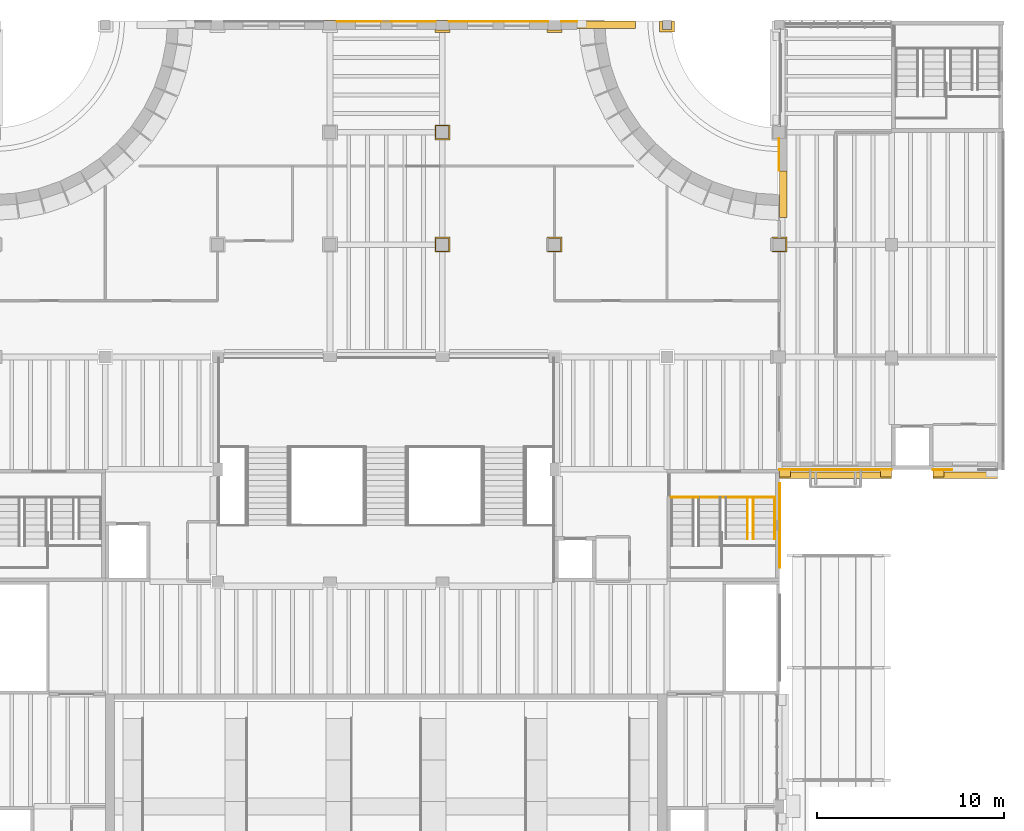
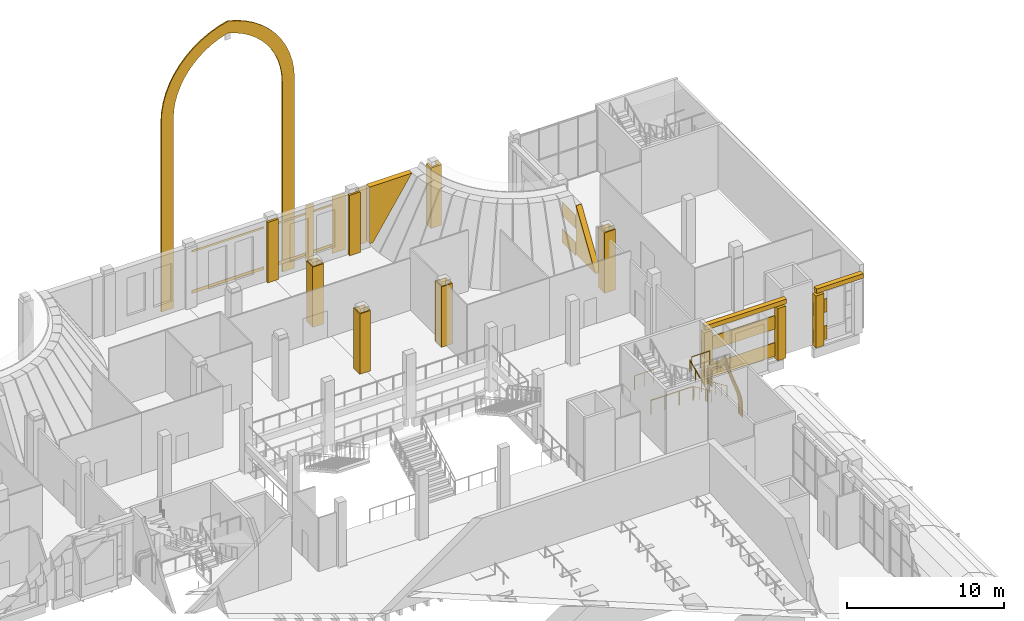
# One storey, part 78 of 80: 31 coverings, 6 railings.
"""IFC4 building model written with IfcOpenShell, lengths in metres."""

from ifc_helpers import new_model, si_unit, direction, frame, origin, origin_2d, place, context, subcontext, project, spatial, polyline, rectangle, circle, outline, extrude, material, layer, layer_set, type_object, element, save


model = new_model("IFC4")

# Units and contexts
model_context = context("Model", 3, precision=1e-05, world=origin(), true_north=direction((0.0, 1.0)))
body_context = subcontext(model_context, "Body", "Model", "MODEL_VIEW")
ifc_project = project(units=[si_unit("LENGTHUNIT", "METRE"), si_unit("AREAUNIT", "SQUARE_METRE"), si_unit("VOLUMEUNIT", "CUBIC_METRE"), si_unit("PLANEANGLEUNIT", "RADIAN"), si_unit("MASSUNIT", "GRAM", prefix="KILO")], contexts=[model_context])

# Site, building, storey
site_placement = place(None, origin())
site = spatial("IfcSite", under=ifc_project, at=site_placement, CompositionType="ELEMENT")
building_placement = place(site_placement, origin())
building = spatial("IfcBuilding", under=site, at=building_placement, Name="Saffron Lane Theatres", CompositionType="ELEMENT")
storey_placement = place(building_placement, frame((0.0, 0.0, 7.0)))
storey = spatial("IfcBuildingStorey", under=building, at=storey_placement, Name="L01", CompositionType="ELEMENT", Elevation=7.0)

# Coverings
ifc_material_1 = material(Name="Masonry sandstone", Category="masonry")
ifc_layer_1 = layer(ifc_material_1, 0.050048828125)
ifc_layer_set_1 = layer_set([ifc_layer_1], Name="Masonry sandstone")
covering_type_1 = type_object("IfcCoveringType", Name="EX-ARCH FRAME RING SANDSTONE 50", PredefinedType="CLADDING", material=ifc_layer_set_1)
covering_1_placement = place(storey_placement, frame((54.0, 97.2099609375, 1.2958984375), z_axis=(-1.0, 0.0, 0.0), x_axis=(0.0, 0.06442827163, 0.997922340573)))
element("IfcCovering", 1, at=covering_1_placement, inside=storey, type_object=covering_type_1, Name="Arch recess ring L01", PredefinedType="CLADDING", context=body_context, shape_type="SweptSolid", body=[
    extrude(outline(polyline([(0.0, 0.0), (0.17052029873114202, 1.734723475976807e-18), (0.3242466721669218, 0.024081254977071236), (0.46344242900309285, 0.06940650212296195), (0.5880131918886352, 0.13451394113409834), (0.7023363221821465, 0.21520657625605405), (0.8097754985831224, 0.31053329351799586), (0.9118316705185227, 0.41721675201932407), (1.013479573024326, 0.5327339305761084), (1.1188295145103184, 0.6563301599259349), (1.228274384393338, 0.786512180648223), (1.3482821771299438, 0.9211498609758806), (1.4813912939168246, 1.0578774753100109), (1.6295508018254126, 1.196569187182587), (1.7967137136804603, 1.3340339934919052), (1.986958878774747, 1.469029958207694), (2.2768445051640707, 1.6467673279258968), (2.012220549731055, 1.8603051727976225), (1.8409137730747478, 2.018643802332316), (1.692815086125706, 2.1764626573449113), (1.563719803123124, 2.333054606794249), (1.4492974018381697, 2.4857634525677375), (1.3475988151994112, 2.6347150311334024), (1.2558025099571002, 2.7778896671794207), (1.167220277835631, 2.914006625097878), (1.0812704747161264, 3.041635563702207), (0.9937798739547866, 3.160556618719107), (0.8994906084625739, 3.2689074104217855), (0.7964927602914423, 3.3636308117286897), (0.6813282733908765, 3.4442161363070785), (0.5491164405301731, 3.5070641116256507), (0.39976288435831203, 3.550712937380834), (0.2306582458924675, 3.5726399419344412), (-0.6634762731268586, 3.630367421641571), (-0.6712152159104848, 3.510499796748517), (0.21902116896597779, 3.4530239899774404), (0.37503252293367106, 3.4329209151187268), (0.50685251501477, 3.394318481277149), (0.6205328306841129, 3.340006413039703), (0.7222114932154338, 3.270322371595594), (0.8140812030640937, 3.185124790918292), (0.8998751087815435, 3.0853958945498916), (0.9836171809786733, 2.9728330766257725), (1.06683213819307, 2.84831649333063), (1.1541962033948943, 2.712278183204689), (1.248122290858553, 2.5679874475964257), (1.3515811898667036, 2.415986431955586), (1.4686755188227527, 2.2591906973371945), (1.6025567821592739, 2.097152126096779), (1.7564159829779704, 1.933823731059093), (1.9331924514444936, 1.7692603909060247), (2.069268862056587, 1.6601689117707128), (1.9202942134717833, 1.569481016084268), (1.723824337759122, 1.4290153595582635), (1.5502402705772806, 1.2868274911490194), (1.396634140877615, 1.143349798942504), (1.2603497505475334, 1.0029128051675502), (1.1382041360374564, 0.8654773607007713), (1.0265036474650626, 0.734462372469297), (0.9223718728987153, 0.6107874953269541), (0.8238363257020991, 0.4980051626752776), (0.7263151602560739, 0.39714513627761755), (0.6284094944910791, 0.3092763270207095), (0.5263470307322774, 0.23659947491203817), (0.41655191601325103, 0.1805686902487979), (0.29683144987863896, 0.14132553905751855), (0.16114198640572697, 0.11999416045256957), (0.0038408086407626125, 0.12011929782910696), (-0.8863955762357, 0.17759510460018418), (-0.8941345190193262, 0.057727479707130096), (0.0, 0.0)])), origin(), (0.0, 0.0, -1.0), 0.050048828125),
])
covering_2_placement = place(storey_placement, frame((54.0, 96.949951171875, 1.297119140625), z_axis=(-1.0, 0.0, 0.0), x_axis=(0.0, 0.067277250526, 0.997734319126)))
element("IfcCovering", 2, at=covering_2_placement, inside=storey, type_object=covering_type_1, Name="Arch recess ring L01", PredefinedType="CLADDING", context=body_context, shape_type="SweptSolid", body=[
    extrude(outline(polyline([(0.0, 0.0), (0.19233029031026627, -1.734723475976807e-18), (0.3686361813310119, 0.027262893416721473), (0.5275519096710343, 0.07967851847782519), (0.6708947742924419, 0.15516677446133414), (0.801502910238719, 0.24864238533224844), (0.9231258912040249, 0.3576502620084015), (1.0375317408204932, 0.47937954132705035), (1.1515545444756434, 0.6099436703748589), (1.2681994774824994, 0.7503634852332024), (1.390304674884545, 0.8955537098670809), (1.5227911616168623, 1.045916604517425), (1.6694413615935944, 1.199484255062579), (1.8330304985878798, 1.3538672728603438), (2.016903096883326, 1.5078613564498122), (2.2254737921748915, 1.6579877914978223), (2.5852450627263814, 1.8803809916168035), (2.258586813918305, 2.1490601516926007), (2.0720586162356986, 2.3258281151472655), (1.9105241675290636, 2.5031130047050683), (1.7691417792436548, 2.6780602602125323), (1.6444355262159311, 2.849925483288521), (1.5333345326929018, 3.016713487930638), (1.4318264232205393, 3.1769819635369636), (1.3350887235237119, 3.3317901747481), (1.2396262941592646, 3.4764798983888334), (1.142598210914092, 3.6124661731803407), (1.0367104853209044, 3.7368151025888094), (0.9198337413277493, 3.846978625211365), (0.7879227532606154, 3.941027255485577), (0.6374823816763479, 4.014302770236232), (0.4664325258529695, 4.064987870501222), (0.27584329720183115, 4.090808143408288), (-0.619340692736567, 4.151170422628053), (-0.632792857819829, 3.951672276298924), (0.2563014451121856, 3.8917206248289538), (0.4240427259492967, 3.8681750747018797), (0.5646332999700076, 3.8266400003332506), (0.6859993674224233, 3.7685384980453724), (0.7931577147319555, 3.6920641156468856), (0.8911443426036292, 3.5993242257405083), (0.9838402256115377, 3.4898124390861174), (1.0746555884792561, 3.363298804143827), (1.16632195798919, 3.224003644458316), (1.2624602961251856, 3.071193408419198), (1.3657200041196895, 2.9078704821698738), (1.480373470016977, 2.735704338682526), (1.6104494943810679, 2.55638087603933), (1.7586139035544, 2.3731460678639413), (1.9292841224015533, 2.1861914371370204), (2.126083902075996, 1.9984536695620012), (2.2420303030465982, 1.9035239715952113), (2.114389223761854, 1.8250193836201942), (1.8941672372391434, 1.6654014043510899), (1.6999434106637878, 1.5030515883918443), (1.5285210457421055, 1.3413665245256619), (1.3755484180494837, 1.1811290396929053), (1.2388196043232536, 1.0259136097170671), (1.1145686057592639, 0.8779317362000586), (0.9987858360731082, 0.7394113458537825), (0.8892489468921257, 0.6136833270214762), (0.7822712757925029, 0.5005068813925057), (0.6757125999515381, 0.40443083471138436), (0.5661626946456565, 0.32568513851799763), (0.4497077350807808, 0.2642890070919583), (0.3216402227517218, 0.22300681743565523), (0.17674626991316658, 0.20072197197738367), (0.0073624780768782, 0.19990877407892305), (-0.8817318248551363, 0.2598604255488935), (-0.8951839899383982, 0.06036227921976477), (0.0, 0.0)])), origin(), (0.0, 0.0, -1.0), 0.050048828125),
])
covering_3_placement = place(storey_placement, frame((54.0, 96.75, 1.2958984375), z_axis=(-1.0, 0.0, 0.0), x_axis=(0.0, 0.067065646472, 0.997748565052)))
element("IfcCovering", 3, at=covering_3_placement, inside=storey, type_object=covering_type_1, Name="Arch recess ring L01", PredefinedType="CLADDING", context=body_context, shape_type="SweptSolid", body=[
    extrude(outline(polyline([(0.0, 0.0), (0.2074984191926236, -1.734723475976807e-18), (0.3949565987586749, 0.029486570596540487), (0.5642577725688886, 0.08735436036579791), (0.717006825863624, 0.16835697159344967), (0.8571974438937694, 0.27002373702473836), (0.9873453927117799, 0.38973863913971574), (1.112807662625058, 0.5234712242409627), (1.2368962863562354, 0.6695307182950527), (1.364579312989259, 0.8253809602518462), (1.4999159215703994, 0.9895256466896439), (1.6475487029811116, 1.1582270352158286), (1.809442758336358, 1.3315977291979), (1.9914586333089161, 1.5058181189990125), (2.196681143111999, 1.6794573949928495), (2.42863316452881, 1.85032122778061), (2.776077461779361, 2.068477613157778), (2.4609543525500626, 2.3311697793950295), (2.253955467173975, 2.531538567002596), (2.073817081002381, 2.7310806390702025), (1.9167543420705462, 2.928092869664417), (1.7795187006768023, 3.1215701588289084), (1.655791154580694, 3.3085115693691134), (1.54363934956495, 3.48929167983406), (1.4379622381804387, 3.6608276857849567), (1.334536906892433, 3.8221799810608545), (1.2281005845377642, 3.971500089463132), (1.1151447570076538, 4.107555693526036), (0.9898212305293306, 4.22706951819905), (0.8492867700734272, 4.327785761836828), (0.6892529683098338, 4.407790454445362), (0.5074272551466756, 4.462099173491861), (0.3017954091224526, 4.4898685427340315), (-0.5921834077088134, 4.549959099997454), (-0.6015653938973532, 4.410381480911809), (0.2885159676016784, 4.350552898829917), (0.4771455668939128, 4.324660443881734), (0.6383663000720692, 4.276875251559516), (0.7770827331991319, 4.207357034802879), (0.9003937617368865, 4.119788383334645), (1.0125694087921775, 4.012169438367741), (1.1171836822691663, 3.886706881200974), (1.2179231934395136, 3.74364229201819), (1.3196781456917779, 3.586562030623556), (1.4243808932432305, 3.4150915184680417), (1.538415932129709, 3.233206056579271), (1.6638302307104045, 3.0422362031160675), (1.804928569764272, 2.844339519030701), (1.9667137560473695, 2.6411372630123773), (2.1531978590338507, 2.434072596587418), (2.367842283260377, 2.2273173021695953), (2.5385762774713267, 2.0844417257822565), (2.350257199200182, 1.9657006129933607), (2.109873713388342, 1.789530921019154), (1.8973558267373267, 1.6092859638033192), (1.7098315788689158, 1.4295632334296131), (1.5435181285927948, 1.2523298417874182), (1.3936746443344354, 1.0798619855197642), (1.2563238142917952, 0.9148739228396727), (1.1296151514918304, 0.7589581870874968), (1.0077536040571458, 0.616908751733141), (0.8887740708727788, 0.4886130134091051), (0.7683102989132307, 0.3782795229756905), (0.6427411707022231, 0.2866410640821107), (0.5088201473125074, 0.216362774594851), (0.3620479773534, 0.1660342398852799), (0.1958824626238666, 0.14025496281157382), (0.005484530856305384, 0.13983959426717443), (-0.8845968306427262, 0.19966817634906692), (-0.893978816831266, 0.06009055726342237), (0.0, 0.0)])), origin(), (0.0, 0.0, -1.0), 0.050048828125),
])
ifc_material_2 = material(Name="Masonry pale clay brick", Category="masonry")
ifc_layer_2 = layer(ifc_material_2, 0.39990234375)
ifc_layer_set_2 = layer_set([ifc_layer_2], Name="Masonry pale clay brick")
covering_type_2 = type_object("IfcCoveringType", Name="EX-END INFILL CLADDING BRICK 400", PredefinedType="CLADDING", material=ifc_layer_set_2)
covering_4_placement = place(storey_placement, frame((43.2021484375, 125.93994140625, 0.25), z_axis=(0.0, 1.0, 0.0), x_axis=(0.0, 0.0, 1.0)))
element("IfcCovering", 4, at=covering_4_placement, inside=storey, type_object=covering_type_2, Name="Wall end infill L01 12", PredefinedType="CLADDING", context=body_context, shape_type="SweptSolid", body=[
    extrude(outline(polyline([(0.0, 0.0), (4.39990234375, 0.0), (4.39990234375, 3.115966796875), (0.0, 0.253662109375), (0.0, 0.0)])), origin(), (0.0, 0.0, -1.0), 0.39990234375),
])
covering_5_placement = place(storey_placement, frame((54.0, 117.947265625, 4.050048828125), z_axis=(-1.0, 0.0, 0.0), x_axis=(0.0, 0.0, -1.0)))
element("IfcCovering", 5, at=covering_5_placement, inside=storey, type_object=covering_type_2, Name="Wall end infill L01 14", PredefinedType="CLADDING", context=body_context, shape_type="SweptSolid", body=[
    extrude(outline(polyline([(0.0, 0.0), (3.800048828125, 0.0), (3.800048828125, 2.491943359375), (0.0, 0.02001953125), (0.0, 0.0)])), origin(), (0.0, 0.0, -1.0), 0.39990234375),
])
ifc_material_3 = material(Name="Face brick cladding, pale buff", Category="masonry")
ifc_layer_3 = layer(ifc_material_3, 0.0400390625)
ifc_layer_set_3 = layer_set([ifc_layer_3], Name="Face brick cladding, pale buff")
covering_type_3 = type_object("IfcCoveringType", Name="EX-FACE BRICK CLADDING PALE BUFF 40", PredefinedType="CLADDING", material=ifc_layer_set_3)
covering_6_placement = place(storey_placement, frame((39.0, 125.919921875, 0.150146484375), z_axis=(0.0, 0.0, 1.0), x_axis=(1.0, 0.0, 0.0)))
element("IfcCovering", 6, at=covering_6_placement, inside=storey, type_object=covering_type_3, Name="Cladding course L01", PredefinedType="CLADDING", context=body_context, shape_type="SweptSolid", body=[
    extrude(rectangle(XDim=0.56005859375, YDim=0.0400390625, at=origin_2d()), origin(), (0.0, 0.0, 1.0), 4.39990234375),
])
covering_7_placement = place(storey_placement, frame((41.159912109375, 125.919921875, 0.150146484375), z_axis=(0.0, 0.0, 1.0), x_axis=(1.0, 0.0, 0.0)))
element("IfcCovering", 7, at=covering_7_placement, inside=storey, type_object=covering_type_3, Name="Cladding course L01", PredefinedType="CLADDING", context=body_context, shape_type="SweptSolid", body=[
    extrude(rectangle(XDim=0.97998046875, YDim=0.0400390625, at=origin_2d()), origin(), (0.0, 0.0, 1.0), 4.39990234375),
])
covering_8_placement = place(storey_placement, frame((42.77587890625, 125.919921875, 0.150146484375), z_axis=(0.0, 0.0, 1.0), x_axis=(1.0, 0.0, 0.0)))
element("IfcCovering", 8, at=covering_8_placement, inside=storey, type_object=covering_type_3, Name="Cladding course L01", PredefinedType="CLADDING", context=body_context, shape_type="SweptSolid", body=[
    extrude(rectangle(XDim=0.85205078125, YDim=0.0400390625, at=origin_2d()), origin(), (0.0, 0.0, 1.0), 4.39990234375),
])
for number, where, z_axis, x_axis, name in (
    (9, (53.97998046875, 118.81103515625, 0.14990234375), (0.0, 0.0, 1.0), (0.0, 1.0, 0.0), "Cladding course L01"),
    (10, (53.97998046875, 118.81103515625, 2.25), (0.0, 0.0, 1.0), (0.0, 1.0, 0.0), "Cladding course L01"),
):
    element("IfcCovering", number, at=place(storey_placement, frame(where, z_axis=z_axis, x_axis=x_axis)), inside=storey, type_object=covering_type_3, Name=name, PredefinedType="CLADDING", context=body_context, shape_type="SweptSolid", body=[
        extrude(rectangle(XDim=1.72802734375, YDim=0.0400390625, at=origin_2d()), origin(), (0.0, 0.0, 1.0), 1.050048828125),
    ])
for number, where, z_axis, x_axis, name in (
    (11, (62.7119140625, 101.97998046875, 0.14990234375), (0.0, 0.0, 1.0), (-1.0, 0.0, 0.0), "Cladding course L01"),
    (12, (62.7119140625, 101.97998046875, 2.25), (0.0, 0.0, 1.0), (-1.0, 0.0, 0.0), "Cladding course L01"),
):
    element("IfcCovering", number, at=place(storey_placement, frame(where, z_axis=z_axis, x_axis=x_axis)), inside=storey, type_object=covering_type_3, Name=name, PredefinedType="CLADDING", context=body_context, shape_type="SweptSolid", body=[
        extrude(rectangle(XDim=1.02490234375, YDim=0.0400390625, at=origin_2d()), origin(), (0.0, 0.0, 1.0), 1.050048828125),
    ])
for number, where, z_axis, x_axis, name in (
    (13, (57.0, 101.97998046875, 0.14990234375), (0.0, 0.0, 1.0), (-1.0, 0.0, 0.0), "Cladding course L01"),
    (14, (57.0, 101.97998046875, 2.25), (0.0, 0.0, 1.0), (-1.0, 0.0, 0.0), "Cladding course L01"),
):
    element("IfcCovering", number, at=place(storey_placement, frame(where, z_axis=z_axis, x_axis=x_axis)), inside=storey, type_object=covering_type_3, Name=name, PredefinedType="CLADDING", context=body_context, shape_type="SweptSolid", body=[
        extrude(rectangle(XDim=6.0, YDim=0.0400390625, at=origin_2d()), origin(), (0.0, 0.0, 1.0), 1.050048828125),
    ])
ifc_material_4 = material(Name="Masonry sandstone", Category="masonry")
ifc_layer_4 = layer(ifc_material_4, 0.0400390625)
ifc_layer_set_4 = layer_set([ifc_layer_4], Name="Masonry sandstone")
covering_type_4 = type_object("IfcCoveringType", Name="EX-HEAD COURSE SANDSTONE 150", PredefinedType="CLADDING", material=ifc_layer_set_4)
for number, where, z_axis, x_axis, name in (
    (15, (33.0, 125.919921875, 3.85009765625), (0.0, 0.0, 1.0), (1.0, 0.0, 0.0), "Facade head course L01"),
    (16, (39.0, 125.919921875, 3.85009765625), (0.0, 0.0, 1.0), (1.0, 0.0, 0.0), "Facade head course L01"),
):
    element("IfcCovering", number, at=place(storey_placement, frame(where, z_axis=z_axis, x_axis=x_axis)), inside=storey, type_object=covering_type_4, Name=name, PredefinedType="CLADDING", context=body_context, shape_type="SweptSolid", body=[
        extrude(rectangle(XDim=5.2998046875, YDim=0.0400390625, at=origin_2d()), origin(), (0.0, 0.0, 1.0), 0.14990234375),
    ])
ifc_material_5 = material(Name="Face brick cladding, pale buff", Category="masonry")
ifc_layer_5 = layer(ifc_material_5, 0.10009765625)
ifc_layer_set_5 = layer_set([ifc_layer_5], Name="Face brick cladding, pale buff")
covering_type_5 = type_object("IfcCoveringType", Name="EX-PIER CASING FACE BRICK PALE BUFF 800", PredefinedType="CLADDING", material=ifc_layer_set_5)
covering_9_placement = place(storey_placement, origin())
element("IfcCovering", 17, at=covering_9_placement, inside=storey, type_object=covering_type_5, Name="Pier casing L01 26", PredefinedType="CLADDING", context=body_context, shape_type="SweptSolid", body=[
    extrude(outline(polyline([(36.39990234375, 114.39990234375), (35.60009765625, 114.39990234375), (35.60009765625, 113.60009765625), (36.39990234375, 113.60009765625), (36.39990234375, 114.39990234375)]), holes=[polyline([(35.675048828125, 114.324951171875), (36.324951171875, 114.324951171875), (36.324951171875, 113.675048828125), (35.675048828125, 113.675048828125), (35.675048828125, 114.324951171875)])]), origin(), (0.0, 0.0, 1.0), 4.699951171875),
])
covering_10_placement = place(storey_placement, origin())
element("IfcCovering", 18, at=covering_10_placement, inside=storey, type_object=covering_type_5, Name="Pier casing L01 27", PredefinedType="CLADDING", context=body_context, shape_type="SweptSolid", body=[
    extrude(outline(polyline([(42.39990234375, 114.39990234375), (41.60009765625, 114.39990234375), (41.60009765625, 113.60009765625), (42.39990234375, 113.60009765625), (42.39990234375, 114.39990234375)]), holes=[polyline([(41.675048828125, 114.324951171875), (42.324951171875, 114.324951171875), (42.324951171875, 113.675048828125), (41.675048828125, 113.675048828125), (41.675048828125, 114.324951171875)])]), origin(), (0.0, 0.0, 1.0), 4.699951171875),
])
covering_11_placement = place(storey_placement, origin())
element("IfcCovering", 19, at=covering_11_placement, inside=storey, type_object=covering_type_5, Name="Pier casing L01 28", PredefinedType="CLADDING", context=body_context, shape_type="SweptSolid", body=[
    extrude(outline(polyline([(54.39990234375, 114.39990234375), (53.60009765625, 114.39990234375), (53.60009765625, 113.60009765625), (54.39990234375, 113.60009765625), (54.39990234375, 114.39990234375)]), holes=[polyline([(53.675048828125, 114.324951171875), (54.324951171875, 114.324951171875), (54.324951171875, 113.675048828125), (53.675048828125, 113.675048828125), (53.675048828125, 114.324951171875)])]), origin(), (0.0, 0.0, 1.0), 4.699951171875),
])
covering_12_placement = place(storey_placement, origin())
element("IfcCovering", 20, at=covering_12_placement, inside=storey, type_object=covering_type_5, Name="Pier casing L01 32", PredefinedType="CLADDING", context=body_context, shape_type="SweptSolid", body=[
    extrude(outline(polyline([(36.39990234375, 120.39990234375), (35.60009765625, 120.39990234375), (35.60009765625, 119.60009765625), (36.39990234375, 119.60009765625), (36.39990234375, 120.39990234375)]), holes=[polyline([(35.675048828125, 120.324951171875), (36.324951171875, 120.324951171875), (36.324951171875, 119.675048828125), (35.675048828125, 119.675048828125), (35.675048828125, 120.324951171875)])]), origin(), (0.0, 0.0, 1.0), 4.699951171875),
])
covering_13_placement = place(storey_placement, origin())
element("IfcCovering", 21, at=covering_13_placement, inside=storey, type_object=covering_type_5, Name="Pier casing L01 39", PredefinedType="CLADDING", context=body_context, shape_type="SweptSolid", body=[
    extrude(outline(polyline([(35.60009765625, 125.495849609375), (35.60009765625, 125.324462890625), (36.39990234375, 125.324462890625), (36.39990234375, 125.495849609375), (36.35009765625, 125.495849609375), (36.35009765625, 125.495849609375), (36.35009765625, 125.474609375), (35.64990234375, 125.474609375), (35.64990234375, 125.495849609375), (35.64990234375, 125.495849609375), (35.60009765625, 125.495849609375)])), origin(), (0.0, 0.0, 1.0), 4.699951171875),
])
covering_14_placement = place(storey_placement, origin())
element("IfcCovering", 22, at=covering_14_placement, inside=storey, type_object=covering_type_5, Name="Pier casing L01 40", PredefinedType="CLADDING", context=body_context, shape_type="SweptSolid", body=[
    extrude(outline(polyline([(41.60009765625, 125.495849609375), (41.60009765625, 125.324462890625), (42.39990234375, 125.324462890625), (42.39990234375, 125.495849609375), (42.35009765625, 125.495849609375), (42.35009765625, 125.495849609375), (42.35009765625, 125.474609375), (41.64990234375, 125.474609375), (41.64990234375, 125.495849609375), (41.64990234375, 125.495849609375), (41.60009765625, 125.495849609375)])), origin(), (0.0, 0.0, 1.0), 4.699951171875),
])
covering_15_placement = place(storey_placement, origin())
element("IfcCovering", 23, at=covering_15_placement, inside=storey, type_object=covering_type_5, Name="Pier casing L01 41", PredefinedType="CLADDING", context=body_context, shape_type="SweptSolid", body=[
    extrude(outline(polyline([(47.60009765625, 125.93994140625), (47.60009765625, 125.349609375), (48.39990234375, 125.349609375), (48.39990234375, 125.93994140625), (48.25, 125.93994140625), (48.25, 125.49951171875), (47.75, 125.49951171875), (47.75, 125.93994140625), (47.60009765625, 125.93994140625)])), origin(), (0.0, 0.0, 1.0), 4.699951171875),
])
ifc_material_6 = material(Name="Masonry sandstone", Category="masonry")
ifc_layer_6 = layer(ifc_material_6, 0.39990234375)
ifc_layer_set_6 = layer_set([ifc_layer_6], Name="Masonry sandstone")
covering_type_6 = type_object("IfcCoveringType", Name="EX-PILASTER PIER SANDSTONE 400", PredefinedType="CLADDING", material=ifc_layer_set_6)
for number, where, z_axis, x_axis, name in (
    (24, (62.5, 101.800048828125, 0.0), (0.0, 0.0, 1.0), (-1.0, 0.0, 0.0), "Pilaster pier L01"),
    (25, (59.699951171875, 101.800048828125, 0.0), (0.0, 0.0, 1.0), (-1.0, 0.0, 0.0), "Pilaster pier L01"),
    (26, (54.300048828125, 101.800048828125, 0.0), (0.0, 0.0, 1.0), (-1.0, 0.0, 0.0), "Pilaster pier L01"),
):
    element("IfcCovering", number, at=place(storey_placement, frame(where, z_axis=z_axis, x_axis=x_axis)), inside=storey, type_object=covering_type_6, Name=name, PredefinedType="CLADDING", context=body_context, shape_type="SweptSolid", body=[
        extrude(rectangle(XDim=0.60009765625, YDim=0.39990234375, at=origin_2d()), origin(), (0.0, 0.0, 1.0), 4.050048828125),
    ])
ifc_material_7 = material(Name="Masonry sandstone", Category="masonry")
ifc_layer_7 = layer(ifc_material_7, 0.090087890625)
ifc_layer_set_7 = layer_set([ifc_layer_7], Name="Masonry sandstone")
covering_type_7 = type_object("IfcCoveringType", Name="EX-PORTAL RING SANDSTONE 50", PredefinedType="CLADDING", material=ifc_layer_set_7)
covering_16_placement = place(storey_placement, frame((28.10009765625, 125.89990234375, 14.77392578125), z_axis=(0.0, -1.0, 0.0), x_axis=(0.0, 0.0, -1.0)))
element("IfcCovering", 27, at=covering_16_placement, inside=storey, type_object=covering_type_7, Name="Portal ring 1", PredefinedType="CLADDING", context=body_context, shape_type="SweptSolid", body=[
    extrude(outline(polyline([(0.0, 0.0), (14.77392578125, 0.0), (14.77392578125, 0.89990234375), (0.0, 0.89990234375), (-0.586181640625, 0.931884765625), (-1.166015625, 1.02783203125), (-1.732177734375, 1.18701171875), (-2.277099609375, 1.406005859375), (-2.795166015625, 1.682861328125), (-3.280029296875, 2.015869140625), (-3.72509765625, 2.39892578125), (-4.1259765625, 2.827880859375), (-4.47802734375, 3.298828125), (-4.777099609375, 3.804931640625), (-5.01806640625, 4.3408203125), (-5.2001953125, 4.89990234375), (-5.01806640625, 5.458984375), (-4.777099609375, 5.994873046875), (-4.47802734375, 6.5009765625), (-4.1259765625, 6.971923828125), (-3.72509765625, 7.40087890625), (-3.280029296875, 7.783935546875), (-2.795166015625, 8.116943359375), (-2.277099609375, 8.393798828125), (-1.732177734375, 8.61279296875), (-1.166015625, 8.77197265625), (-0.586181640625, 8.867919921875), (0.0, 8.89990234375), (14.77392578125, 8.89990234375), (14.77392578125, 9.7998046875), (0.0, 9.7998046875), (-0.7041015625, 9.760009765625), (-1.400146484375, 9.641845703125), (-2.078125, 9.44580078125), (-2.72998046875, 9.1748046875), (-3.34716796875, 8.8330078125), (-3.922119140625, 8.423828125), (-4.447021484375, 7.952880859375), (-4.9169921875, 7.42578125), (-5.323974609375, 6.849853515625), (-5.6640625, 6.23095703125), (-5.93212890625, 5.578857421875), (-6.1259765625, 4.89990234375), (-5.93212890625, 4.220947265625), (-5.6640625, 3.56884765625), (-5.323974609375, 2.949951171875), (-4.9169921875, 2.3740234375), (-4.447021484375, 1.846923828125), (-3.922119140625, 1.3759765625), (-3.34716796875, 0.966796875), (-2.72998046875, 0.625), (-2.078125, 0.35400390625), (-1.400146484375, 0.157958984375), (-0.7041015625, 0.039794921875), (0.0, 0.0)])), origin(), (0.0, 0.0, -1.0), 0.090087890625),
])
ifc_material_8 = material(Name="Masonry sandstone", Category="masonry")
ifc_layer_8 = layer(ifc_material_8, 0.0400390625)
ifc_layer_set_8 = layer_set([ifc_layer_8], Name="Masonry sandstone")
covering_type_8 = type_object("IfcCoveringType", Name="EX-SILL COURSE SANDSTONE 250", PredefinedType="CLADDING", material=ifc_layer_set_8)
for number, where, z_axis, x_axis, name in (
    (28, (33.0, 125.919921875, 0.64990234375), (0.0, 0.0, 1.0), (1.0, 0.0, 0.0), "Facade sill course L01"),
    (29, (39.0, 125.919921875, 0.64990234375), (0.0, 0.0, 1.0), (1.0, 0.0, 0.0), "Facade sill course L01"),
):
    element("IfcCovering", number, at=place(storey_placement, frame(where, z_axis=z_axis, x_axis=x_axis)), inside=storey, type_object=covering_type_8, Name=name, PredefinedType="CLADDING", context=body_context, shape_type="SweptSolid", body=[
        extrude(rectangle(XDim=5.2998046875, YDim=0.0400390625, at=origin_2d()), origin(), (0.0, 0.0, 1.0), 0.25),
    ])
ifc_material_9 = material(Name="Masonry sandstone", Category="masonry")
ifc_layer_9 = layer(ifc_material_9, 0.300048828125)
ifc_layer_set_9 = layer_set([ifc_layer_9], Name="Masonry sandstone")
covering_type_9 = type_object("IfcCoveringType", Name="EX-STRING COURSE SANDSTONE 350", PredefinedType="CLADDING", material=ifc_layer_set_9)
covering_17_placement = place(storey_placement, frame((63.919921875, 101.675048828125, 4.300048828125), z_axis=(0.0, 0.0, 1.0), x_axis=(-1.0, 0.0, 0.0)))
element("IfcCovering", 30, at=covering_17_placement, inside=storey, type_object=covering_type_9, Name="String course L01", PredefinedType="CLADDING", context=body_context, shape_type="SweptSolid", body=[
    extrude(rectangle(XDim=3.43994140625, YDim=0.35009765625, at=origin_2d()), origin(), (0.0, 0.0, 1.0), 0.35009765625),
])
covering_18_placement = place(storey_placement, frame((57.0, 101.675048828125, 4.300048828125), z_axis=(0.0, 0.0, 1.0), x_axis=(-1.0, 0.0, 0.0)))
element("IfcCovering", 31, at=covering_18_placement, inside=storey, type_object=covering_type_9, Name="String course L01", PredefinedType="CLADDING", context=body_context, shape_type="SweptSolid", body=[
    extrude(rectangle(XDim=6.0, YDim=0.35009765625, at=origin_2d()), origin(), (0.0, 0.0, 1.0), 0.35009765625),
])

# Railings
ifc_material_10 = material(Name="Steel Grade 350", Category="steel")
railing_type_1 = type_object("IfcRailingType", Name="VC-GUARD 1100", PredefinedType="GUARDRAIL", material=ifc_material_10)
railing_1_placement = place(storey_placement, frame((53.77001953125, 100.5, 2.333251953125)))
element("IfcRailing", 32, at=railing_1_placement, inside=storey, type_object=railing_type_1, Name="Brick Block East Stair landing guard 2S2w", PredefinedType="GUARDRAIL", context=body_context, shape_type="SweptSolid", body=[
    extrude(circle(Radius=0.02392578125, at=origin_2d()), frame((0.0, 0.0, 1.076171875), z_axis=(-1.0, 0.0, 0.0), x_axis=(0.0, -1.0, 0.0)), (0.0, 0.0, 1.0), 1.320068359375),
    extrude(circle(Radius=0.02099609375, at=origin_2d()), origin(), (0.0, 0.0, 1.0), 1.052001953125),
    extrude(circle(Radius=0.02099609375, at=origin_2d()), frame((-0.66015625, 0.0, 0.0)), (0.0, 0.0, 1.0), 1.052001953125),
    extrude(circle(Radius=0.02099609375, at=origin_2d()), frame((-1.320068359375, 0.0, 0.0)), (0.0, 0.0, 1.0), 1.052001953125),
])
railing_2_placement = place(storey_placement, frame((49.64990234375, 100.5, 2.333251953125)))
element("IfcRailing", 33, at=railing_2_placement, inside=storey, type_object=railing_type_1, Name="Brick Block East Stair landing guard 2S2e", PredefinedType="GUARDRAIL", context=body_context, shape_type="SweptSolid", body=[
    extrude(circle(Radius=0.02392578125, at=origin_2d()), frame((0.0, 0.0, 1.076171875), z_axis=(-1.0, 0.0, 0.0), x_axis=(0.0, -1.0, 0.0)), (0.0, 0.0, 1.0), 1.419921875),
    extrude(circle(Radius=0.02099609375, at=origin_2d()), origin(), (0.0, 0.0, 1.0), 1.052001953125),
    extrude(circle(Radius=0.02099609375, at=origin_2d()), frame((-0.7099609375, 0.0, 0.0)), (0.0, 0.0, 1.0), 1.052001953125),
    extrude(circle(Radius=0.02099609375, at=origin_2d()), frame((-1.419921875, 0.0, 0.0)), (0.0, 0.0, 1.0), 1.052001953125),
])
railing_3_placement = place(storey_placement, frame((52.550048828125, 100.5, 0.0)))
element("IfcRailing", 34, at=railing_3_placement, inside=storey, type_object=railing_type_1, Name="Brick Block East Stair guard L01", PredefinedType="GUARDRAIL", context=body_context, shape_type="SweptSolid", body=[
    extrude(circle(Radius=0.02392578125, at=origin_2d()), frame((0.0, 0.0, 1.076171875), z_axis=(-1.0, 0.0, 0.0), x_axis=(0.0, -1.0, 0.0)), (0.0, 0.0, 1.0), 3.10009765625),
    extrude(circle(Radius=0.02099609375, at=origin_2d()), origin(), (0.0, 0.0, 1.0), 1.052001953125),
    extrude(circle(Radius=0.02099609375, at=origin_2d()), frame((-1.033447265625, 0.0, 0.0)), (0.0, 0.0, 1.0), 1.052001953125),
    extrude(circle(Radius=0.02099609375, at=origin_2d()), frame((-2.066650390625, 0.0, 0.0)), (0.0, 0.0, 1.0), 1.052001953125),
    extrude(circle(Radius=0.02099609375, at=origin_2d()), frame((-3.10009765625, 0.0, 0.0)), (0.0, 0.0, 1.0), 1.052001953125),
])
ifc_material_11 = material(Name="Steel Grade 350", Category="steel")
railing_type_2 = type_object("IfcRailingType", Name="VC-HANDRAIL 900", PredefinedType="HANDRAIL", material=ifc_material_11)
for number, where, name in (
    (35, (53.75, 100.5, 0.166748046875), "Brick Block East Stair handrail 2.1a"),
    (36, (52.60009765625, 100.5, 0.166748046875), "Brick Block East Stair handrail 2.1b"),
):
    element("IfcRailing", number, at=place(storey_placement, frame(where)), inside=storey, type_object=railing_type_2, Name=name, PredefinedType="HANDRAIL", context=body_context, shape_type="SweptSolid", body=[
        extrude(circle(Radius=0.02392578125, at=origin_2d()), frame((0.0, 0.0, 0.8759765625), z_axis=(0.0, -0.911803263409, 0.410627335715), x_axis=(1.0, 0.0, 0.0)), (0.0, 0.0, 1.0), 0.8115234375),
        extrude(circle(Radius=0.02392578125, at=origin_2d()), frame((0.0, -0.739990234375, 1.208984375), z_axis=(0.0, -0.911803263409, 0.410627335715), x_axis=(1.0, 0.0, 0.0)), (0.0, 0.0, 1.0), 0.8115234375),
        extrude(circle(Radius=0.02392578125, at=origin_2d()), frame((0.0, -1.47998046875, 1.54248046875), z_axis=(0.0, -0.911690610408, 0.410877391559), x_axis=(1.0, 0.0, 0.0)), (0.0, 0.0, 1.0), 0.811767578125),
        extrude(circle(Radius=0.02099609375, at=origin_2d()), origin(), (0.0, 0.0, 1.0), 0.851806640625),
        extrude(circle(Radius=0.02099609375, at=origin_2d()), frame((0.0, -0.739990234375, 0.333251953125)), (0.0, 0.0, 1.0), 0.851806640625),
        extrude(circle(Radius=0.02099609375, at=origin_2d()), frame((0.0, -1.47998046875, 0.66650390625)), (0.0, 0.0, 1.0), 0.851806640625),
        extrude(circle(Radius=0.02099609375, at=origin_2d()), frame((0.0, -2.219970703125, 1.0)), (0.0, 0.0, 1.0), 0.851806640625),
    ])
railing_4_placement = place(storey_placement, frame((52.300048828125, 98.280029296875, 1.333251953125)))
element("IfcRailing", 37, at=railing_4_placement, inside=storey, type_object=railing_type_2, Name="Brick Block East Stair handrail 2.2a", PredefinedType="HANDRAIL", context=body_context, shape_type="SweptSolid", body=[
    extrude(circle(Radius=0.02392578125, at=origin_2d()), frame((0.0, 0.0, 0.8759765625), z_axis=(0.0, 0.911690610408, 0.410877391559), x_axis=(-1.0, 0.0, 0.0)), (0.0, 0.0, 1.0), 0.811767578125),
    extrude(circle(Radius=0.02392578125, at=origin_2d()), frame((0.0, 0.739990234375, 1.20947265625), z_axis=(0.0, 0.911803263409, 0.410627335715), x_axis=(-1.0, 0.0, 0.0)), (0.0, 0.0, 1.0), 0.8115234375),
    extrude(circle(Radius=0.02392578125, at=origin_2d()), frame((0.0, 1.47998046875, 1.54248046875), z_axis=(0.0, 0.911803263409, 0.410627335715), x_axis=(-1.0, 0.0, 0.0)), (0.0, 0.0, 1.0), 0.8115234375),
    extrude(circle(Radius=0.02099609375, at=origin_2d()), origin(), (0.0, 0.0, 1.0), 0.851806640625),
    extrude(circle(Radius=0.02099609375, at=origin_2d()), frame((0.0, 0.739990234375, 0.33349609375)), (0.0, 0.0, 1.0), 0.851806640625),
    extrude(circle(Radius=0.02099609375, at=origin_2d()), frame((0.0, 1.47998046875, 0.666748046875)), (0.0, 0.0, 1.0), 0.851806640625),
    extrude(circle(Radius=0.02099609375, at=origin_2d()), frame((0.0, 2.219970703125, 1.0)), (0.0, 0.0, 1.0), 0.851806640625),
])

save(model, "model.ifc")
